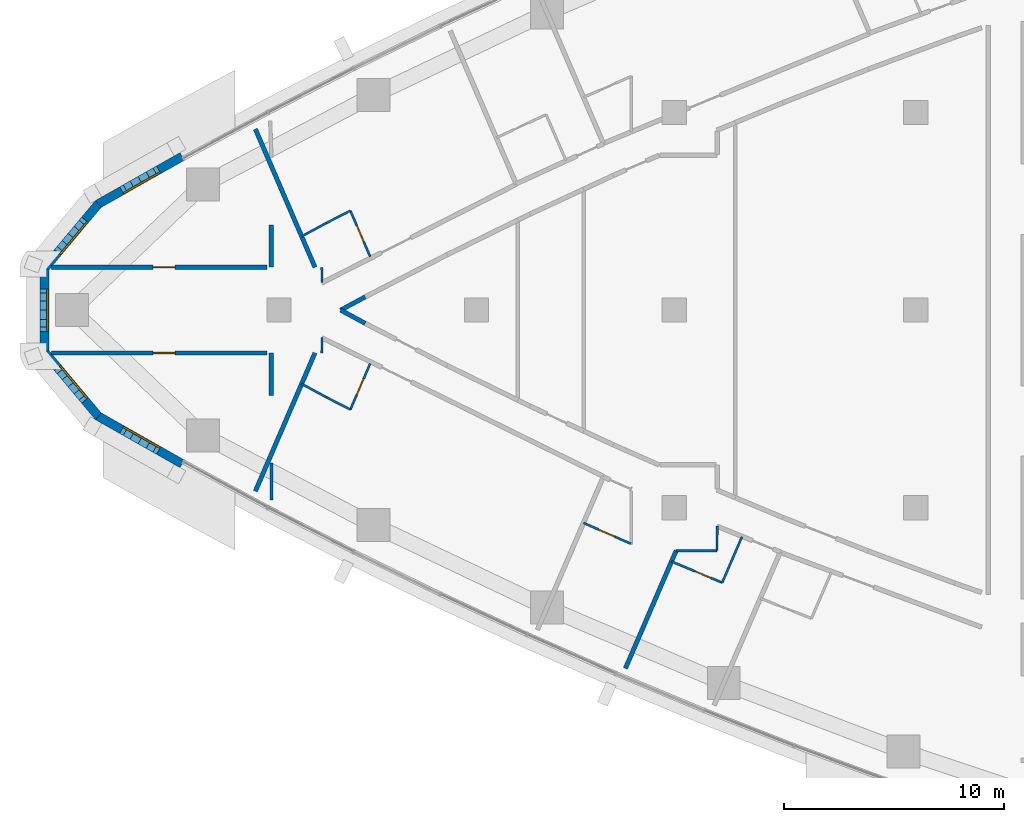
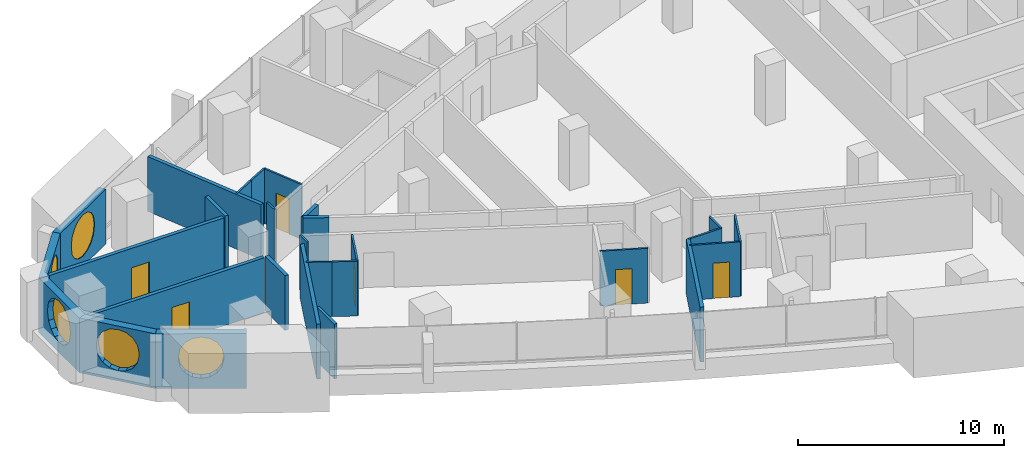
# One storey, part 8 of 16: 28 walls, 6 doors, 5 windows, 11 openings.
"""IFC4 building model written with IfcOpenShell, lengths in metres."""

from ifc_helpers import new_model, si_unit, direction, frame, frame_2d, origin, place, context, subcontext, project, spatial, polyline, rectangle, outline, extrude, material, layer, layer_set, type_object, element, fill, save


model = new_model("IFC4")

# Units and contexts
model_context = context("Model", 3, precision=1e-05, world=origin(), true_north=direction((0.0, 1.0)))
body_context = subcontext(model_context, "Body", "Model", "MODEL_VIEW")
ifc_project = project(units=[si_unit("LENGTHUNIT", "METRE"), si_unit("AREAUNIT", "SQUARE_METRE"), si_unit("VOLUMEUNIT", "CUBIC_METRE"), si_unit("PLANEANGLEUNIT", "RADIAN"), si_unit("MASSUNIT", "GRAM", prefix="KILO")], contexts=[model_context])

# Site, building, storey
site_placement = place(None, origin())
site = spatial("IfcSite", under=ifc_project, at=site_placement, CompositionType="ELEMENT")
building_placement = place(site_placement, origin())
building = spatial("IfcBuilding", under=site, at=building_placement, Name="Ostrand Prow Hotel Tower", CompositionType="ELEMENT")
storey_placement = place(building_placement, frame((0.0, 0.0, 147.949951171875)))
storey = spatial("IfcBuildingStorey", under=building, at=storey_placement, Name="L36", CompositionType="ELEMENT", Elevation=147.949951171875)

# Walls
ifc_material_1 = material(Name="Plasterboard partition")
ifc_layer_1 = layer(ifc_material_1, 0.10009765625)
ifc_layer_set_1 = layer_set([ifc_layer_1], Name="Plasterboard partition")
wall_type_1 = type_object("IfcWallType", Name="Partition 100 bathroom wall", PredefinedType="PARTITIONING", material=ifc_layer_set_1)
wall_1_placement = place(storey_placement, frame((17.03564453125, 3.3583984375, 0.0), z_axis=(0.0, 0.0, 1.0), x_axis=(0.879823588489, 0.475300382009, 0.0)))
element("IfcWall", 1, at=wall_1_placement, inside=storey, type_object=wall_type_1, Name="BATHROOM WALL", PredefinedType="PARTITIONING", context=body_context, shape_type="SweptSolid", body=[
    extrude(rectangle(XDim=1.27294921875, YDim=0.10009765625, at=frame_2d((0.636474609375, 0.0))), origin(), (0.0, 0.0, 1.0), 3.25),
])
wall_2_placement = place(storey_placement, frame((18.155517578125, 3.96337890625, 0.0), z_axis=(0.0, 0.0, 1.0), x_axis=(0.889106231322, 0.457700895154, 0.0)))
element("IfcWall", 2, at=wall_2_placement, inside=storey, type_object=wall_type_1, Name="BATHROOM WALL", PredefinedType="PARTITIONING", context=body_context, shape_type="SweptSolid", body=[
    extrude(rectangle(XDim=1.23486328125, YDim=0.10009765625, at=frame_2d((0.617431640625, 0.0))), origin(), (0.0, 0.0, 1.0), 3.25),
])

# Wall, opening, door
wall_3_placement = place(storey_placement, frame((19.253662109375, 4.528564453125, 0.0), z_axis=(0.0, 0.0, 1.0), x_axis=(0.395958457437, -0.9182684248, 0.0)))
wall_3 = element("IfcWall", 3, at=wall_3_placement, inside=storey, type_object=wall_type_1, Name="BATHROOM WALL", PredefinedType="PARTITIONING", context=body_context, shape_type="SweptSolid", body=[
    extrude(rectangle(XDim=2.281982421875, YDim=0.10009765625, at=frame_2d((1.14111328125, 0.0))), origin(), (0.0, 0.0, 1.0), 3.25),
])
opening_1_placement = place(wall_3_placement, frame((0.75, 0.0, 0.0)))
opening_1 = element("IfcOpeningElement", 4, at=opening_1_placement, cuts=wall_3, Name="Opening D2", PredefinedType="OPENING", context=body_context, shape_type="SweptSolid", body=[
    extrude(rectangle(XDim=0.800048828125, YDim=2.10009765625, at=frame_2d((0.39990234375, 1.050048828125))), frame((0.0, 0.06005859375, 0.0), z_axis=(0.0, -1.0, 0.0), x_axis=(1.0, 0.0, 0.0)), (0.0, 0.0, 1.0), 0.1201171875),
])
ifc_material_2 = material(Name="Timber door leaf", Category="wood")
door_type_1 = type_object("IfcDoorType", Name="Bathroom door 800", OperationType="SINGLE_SWING_LEFT", PredefinedType="DOOR", material=ifc_material_2)
door_1_placement = place(opening_1_placement, origin())
door_1 = element("IfcDoor", 5, at=door_1_placement, inside=storey, type_object=door_type_1, Name="DOOR", OperationType="SINGLE_SWING_LEFT", OverallHeight=2.10009765625, OverallWidth=0.800048828125, PredefinedType="DOOR", context=body_context, shape_type="SweptSolid", body=[
    extrude(rectangle(XDim=0.800048828125, YDim=2.10009765625, at=frame_2d((0.39990234375, 1.050048828125))), frame((0.0, 0.02490234375, 0.0), z_axis=(0.0, -1.0, 0.0), x_axis=(1.0, 0.0, 0.0)), (0.0, 0.0, 1.0), 0.050048828125),
])
fill(opening_1, door_1)

wall_4_placement = place(storey_placement, frame((20.1572265625, -2.43310546875, 0.0), z_axis=(0.0, 0.0, 1.0), x_axis=(-0.395958457437, -0.9182684248, 0.0)))
wall_4 = element("IfcWall", 6, at=wall_4_placement, inside=storey, type_object=wall_type_1, Name="BATHROOM WALL", PredefinedType="PARTITIONING", context=body_context, shape_type="SweptSolid", body=[
    extrude(rectangle(XDim=2.281982421875, YDim=0.10009765625, at=frame_2d((1.14111328125, 0.0))), origin(), (0.0, 0.0, 1.0), 3.25),
])
opening_2_placement = place(wall_4_placement, frame((0.75, 0.0, 0.0)))
opening_2 = element("IfcOpeningElement", 7, at=opening_2_placement, cuts=wall_4, Name="Opening D2", PredefinedType="OPENING", context=body_context, shape_type="SweptSolid", body=[
    extrude(rectangle(XDim=0.800048828125, YDim=2.10009765625, at=frame_2d((0.39990234375, 1.050048828125))), frame((0.0, 0.06005859375, 0.0), z_axis=(0.0, -1.0, 0.0), x_axis=(1.0, 0.0, 0.0)), (0.0, 0.0, 1.0), 0.1201171875),
])
door_2_placement = place(opening_2_placement, origin())
door_2 = element("IfcDoor", 8, at=door_2_placement, inside=storey, type_object=door_type_1, Name="DOOR", OperationType="SINGLE_SWING_LEFT", OverallHeight=2.10009765625, OverallWidth=0.800048828125, PredefinedType="DOOR", context=body_context, shape_type="SweptSolid", body=[
    extrude(rectangle(XDim=0.800048828125, YDim=2.10009765625, at=frame_2d((0.39990234375, 1.050048828125))), frame((0.0, 0.02490234375, 0.0), z_axis=(0.0, -1.0, 0.0), x_axis=(1.0, 0.0, 0.0)), (0.0, 0.0, 1.0), 0.050048828125),
])
fill(opening_2, door_2)

# Walls
wall_5_placement = place(storey_placement, frame((19.25341796875, -4.528564453125, 0.0), z_axis=(0.0, 0.0, 1.0), x_axis=(-0.889106231322, 0.457700895154, 0.0)))
element("IfcWall", 9, at=wall_5_placement, inside=storey, type_object=wall_type_1, Name="BATHROOM WALL", PredefinedType="PARTITIONING", context=body_context, shape_type="SweptSolid", body=[
    extrude(rectangle(XDim=1.23486328125, YDim=0.10009765625, at=frame_2d((0.617431640625, 0.0))), origin(), (0.0, 0.0, 1.0), 3.25),
])
wall_6_placement = place(storey_placement, frame((18.155517578125, -3.96337890625, 0.0), z_axis=(0.0, 0.0, 1.0), x_axis=(-0.879823588489, 0.475300382009, 0.0)))
element("IfcWall", 10, at=wall_6_placement, inside=storey, type_object=wall_type_1, Name="BATHROOM WALL", PredefinedType="PARTITIONING", context=body_context, shape_type="SweptSolid", body=[
    extrude(rectangle(XDim=1.27294921875, YDim=0.10009765625, at=frame_2d((0.636474609375, 0.0))), origin(), (0.0, 0.0, 1.0), 3.25),
])

# Wall, opening, door
wall_7_placement = place(storey_placement, frame((32.02783203125, -10.638427734375, 0.0), z_axis=(0.0, 0.0, 1.0), x_axis=(-0.915108845766, 0.403206895278, 0.0)))
wall_7 = element("IfcWall", 11, at=wall_7_placement, inside=storey, type_object=wall_type_1, Name="BATHROOM WALL", PredefinedType="PARTITIONING", context=body_context, shape_type="SweptSolid", body=[
    extrude(rectangle(XDim=2.3583984375, YDim=0.10009765625, at=frame_2d((1.17919921875, 0.0))), origin(), (0.0, 0.0, 1.0), 3.25),
])
opening_3_placement = place(wall_7_placement, frame((0.800048828125, 0.0, 0.0)))
opening_3 = element("IfcOpeningElement", 12, at=opening_3_placement, cuts=wall_7, Name="Opening D2", PredefinedType="OPENING", context=body_context, shape_type="SweptSolid", body=[
    extrude(rectangle(XDim=0.800048828125, YDim=2.10009765625, at=frame_2d((0.39990234375, 1.050048828125))), frame((0.0, 0.06005859375, 0.0), z_axis=(0.0, -1.0, 0.0), x_axis=(1.0, 0.0, 0.0)), (0.0, 0.0, 1.0), 0.1201171875),
])
door_3_placement = place(opening_3_placement, origin())
door_3 = element("IfcDoor", 13, at=door_3_placement, inside=storey, type_object=door_type_1, Name="DOOR", OperationType="SINGLE_SWING_LEFT", OverallHeight=2.10009765625, OverallWidth=0.800048828125, PredefinedType="DOOR", context=body_context, shape_type="SweptSolid", body=[
    extrude(rectangle(XDim=0.800048828125, YDim=2.10009765625, at=frame_2d((0.39990234375, 1.050048828125))), frame((0.0, 0.02490234375, 0.0), z_axis=(0.0, -1.0, 0.0), x_axis=(1.0, 0.0, 0.0)), (0.0, 0.0, 1.0), 0.050048828125),
])
fill(opening_3, door_3)

# Wall
wall_8_placement = place(storey_placement, frame((37.0869140625, -10.317138671875, 0.0), z_axis=(0.0, 0.0, 1.0), x_axis=(-0.395936907069, -0.918277717045, 0.0)))
element("IfcWall", 14, at=wall_8_placement, inside=storey, type_object=wall_type_1, Name="BATHROOM WALL", PredefinedType="PARTITIONING", context=body_context, shape_type="SweptSolid", body=[
    extrude(rectangle(XDim=2.277099609375, YDim=0.10009765625, at=frame_2d((1.138671875, 0.0))), origin(), (0.0, 0.0, 1.0), 3.25),
])

# Wall, opening, door
wall_9_placement = place(storey_placement, frame((36.185302734375, -12.408203125, 0.0), z_axis=(0.0, 0.0, 1.0), x_axis=(-0.923033583854, 0.384719382248, 0.0)))
wall_9 = element("IfcWall", 15, at=wall_9_placement, inside=storey, type_object=wall_type_1, Name="BATHROOM WALL", PredefinedType="PARTITIONING", context=body_context, shape_type="SweptSolid", body=[
    extrude(rectangle(XDim=2.500244140625, YDim=0.10009765625, at=frame_2d((1.25, 0.0))), origin(), (0.0, 0.0, 1.0), 3.25),
])
opening_4_placement = place(wall_9_placement, frame((0.550048828125, 0.0, 0.0)))
opening_4 = element("IfcOpeningElement", 16, at=opening_4_placement, cuts=wall_9, Name="Opening D2", PredefinedType="OPENING", context=body_context, shape_type="SweptSolid", body=[
    extrude(rectangle(XDim=0.800048828125, YDim=2.10009765625, at=frame_2d((0.39990234375, 1.050048828125))), frame((0.0, 0.06005859375, 0.0), z_axis=(0.0, -1.0, 0.0), x_axis=(1.0, 0.0, 0.0)), (0.0, 0.0, 1.0), 0.1201171875),
])
door_4_placement = place(opening_4_placement, origin())
door_4 = element("IfcDoor", 17, at=door_4_placement, inside=storey, type_object=door_type_1, Name="DOOR", OperationType="SINGLE_SWING_LEFT", OverallHeight=2.10009765625, OverallWidth=0.800048828125, PredefinedType="DOOR", context=body_context, shape_type="SweptSolid", body=[
    extrude(rectangle(XDim=0.800048828125, YDim=2.10009765625, at=frame_2d((0.39990234375, 1.050048828125))), frame((0.0, 0.02490234375, 0.0), z_axis=(0.0, -1.0, 0.0), x_axis=(1.0, 0.0, 0.0)), (0.0, 0.0, 1.0), 0.050048828125),
])
fill(opening_4, door_4)

# Walls
for number, where, z_axis, x_axis, name in (
    (18, (17.959716796875, 1.248779296875, 0.0), (0.0, 0.0, 1.0), (-0.007291472831, 0.999973416859, 0.0), "BATHROOM WALL"),
    (19, (17.95458984375, -1.951904296875, 0.0), (0.0, 0.0, 1.0), (0.007291472831, 0.999973416859, 0.0), "BATHROOM WALL"),
):
    element("IfcWall", number, at=place(storey_placement, frame(where, z_axis=z_axis, x_axis=x_axis)), inside=storey, type_object=wall_type_1, Name=name, PredefinedType="PARTITIONING", context=body_context, shape_type="SweptSolid", body=[
        extrude(rectangle(XDim=0.703125, YDim=0.10009765625, at=frame_2d((0.3515625, 0.0))), origin(), (0.0, 0.0, 1.0), 3.25),
    ])
wall_10_placement = place(storey_placement, frame((34.08935546875, -10.955078125, 0.0), z_axis=(0.0, 0.0, 1.0), x_axis=(0.999999862691, 0.000524040279, 0.0)))
element("IfcWall", 20, at=wall_10_placement, inside=storey, type_object=wall_type_1, Name="BATHROOM WALL", PredefinedType="PARTITIONING", context=body_context, shape_type="SweptSolid", body=[
    extrude(rectangle(XDim=1.863525390625, YDim=0.10009765625, at=frame_2d((0.931640625, 0.0))), origin(), (0.0, 0.0, 1.0), 3.25),
])
wall_11_placement = place(storey_placement, frame((35.952880859375, -10.9541015625, 0.0), z_axis=(0.0, 0.0, 1.0), x_axis=(0.00368122235, 0.999993224278, 0.0)))
element("IfcWall", 21, at=wall_11_placement, inside=storey, type_object=wall_type_1, Name="BATHROOM WALL", PredefinedType="PARTITIONING", context=body_context, shape_type="SweptSolid", body=[
    extrude(rectangle(XDim=1.12744140625, YDim=0.10009765625, at=frame_2d((0.563720703125, 0.0))), origin(), (0.0, 0.0, 1.0), 3.25),
])
ifc_material_3 = material(Name="Plasterboard partition")
ifc_layer_2 = layer(ifc_material_3, 0.14990234375)
ifc_layer_set_2 = layer_set([ifc_layer_2], Name="Plasterboard partition")
wall_type_2 = type_object("IfcWallType", Name="Partition 150 room partition", PredefinedType="PARTITIONING", material=ifc_layer_set_2)
wall_12_placement = place(storey_placement, frame((15.65869140625, -6.955078125, 0.0), z_axis=(0.0, 0.0, 1.0), x_axis=(0.0, -1.0, 0.0)))
element("IfcWall", 22, at=wall_12_placement, inside=storey, type_object=wall_type_2, Name="ROOM PARTITION", PredefinedType="PARTITIONING", context=body_context, shape_type="SweptSolid", body=[
    extrude(rectangle(XDim=1.68359375, YDim=0.14990234375, at=frame_2d((0.841796875, 0.0))), origin(), (0.0, 0.0, 1.0), 3.25),
])

# Wall, opening, door
ifc_material_4 = material(Name="Plasterboard partition")
ifc_layer_3 = layer(ifc_material_4, 0.199951171875)
ifc_layer_set_3 = layer_set([ifc_layer_3], Name="Plasterboard partition")
wall_type_3 = type_object("IfcWallType", Name="Partition 200 corridor wall", PredefinedType="PARTITIONING", material=ifc_layer_set_3)
wall_13_placement = place(storey_placement, frame((5.654296875, 1.949951171875, 0.0), z_axis=(0.0, 0.0, 1.0), x_axis=(1.0, 0.0, 0.0)))
wall_13 = element("IfcWall", 23, at=wall_13_placement, inside=storey, type_object=wall_type_3, Name="CORRIDOR WALL", PredefinedType="PARTITIONING", context=body_context, shape_type="SweptSolid", body=[
    extrude(rectangle(XDim=9.804443359375, YDim=0.199951171875, at=frame_2d((4.90234375, 0.0))), origin(), (0.0, 0.0, 1.0), 3.25),
])
opening_5_placement = place(wall_13_placement, frame((4.618408203125, 0.0, 0.0)))
opening_5 = element("IfcOpeningElement", 24, at=opening_5_placement, cuts=wall_13, Name="Opening D1", PredefinedType="OPENING", context=body_context, shape_type="SweptSolid", body=[
    extrude(rectangle(XDim=1.0, YDim=2.10009765625, at=frame_2d((0.5, 1.050048828125))), frame((0.0, 0.10986328125, 0.0), z_axis=(0.0, -1.0, 0.0), x_axis=(1.0, 0.0, 0.0)), (0.0, 0.0, 1.0), 0.219970703125),
])
ifc_material_5 = material(Name="Timber door leaf", Category="wood")
door_type_2 = type_object("IfcDoorType", Name="Guest room door 1000", OperationType="SINGLE_SWING_LEFT", PredefinedType="DOOR", material=ifc_material_5)
door_5_placement = place(opening_5_placement, origin())
door_5 = element("IfcDoor", 25, at=door_5_placement, inside=storey, type_object=door_type_2, Name="DOOR", OperationType="SINGLE_SWING_LEFT", OverallHeight=2.10009765625, OverallWidth=1.0, PredefinedType="DOOR", context=body_context, shape_type="SweptSolid", body=[
    extrude(rectangle(XDim=1.0, YDim=2.10009765625, at=frame_2d((0.5, 1.050048828125))), frame((0.0, 0.02490234375, 0.0), z_axis=(0.0, -1.0, 0.0), x_axis=(1.0, 0.0, 0.0)), (0.0, 0.0, 1.0), 0.050048828125),
])
fill(opening_5, door_5)

wall_14_placement = place(storey_placement, frame((5.654296875, -1.949951171875, 0.0), z_axis=(0.0, 0.0, 1.0), x_axis=(1.0, 0.0, 0.0)))
wall_14 = element("IfcWall", 26, at=wall_14_placement, inside=storey, type_object=wall_type_3, Name="CORRIDOR WALL", PredefinedType="PARTITIONING", context=body_context, shape_type="SweptSolid", body=[
    extrude(rectangle(XDim=9.804443359375, YDim=0.199951171875, at=frame_2d((4.90234375, 0.0))), origin(), (0.0, 0.0, 1.0), 3.25),
])
opening_6_placement = place(wall_14_placement, frame((4.618408203125, 0.0, 0.0)))
opening_6 = element("IfcOpeningElement", 27, at=opening_6_placement, cuts=wall_14, Name="Opening D1R", PredefinedType="OPENING", context=body_context, shape_type="SweptSolid", body=[
    extrude(rectangle(XDim=1.0, YDim=2.10009765625, at=frame_2d((0.5, 1.050048828125))), frame((0.0, 0.10986328125, 0.0), z_axis=(0.0, -1.0, 0.0), x_axis=(1.0, 0.0, 0.0)), (0.0, 0.0, 1.0), 0.219970703125),
])
ifc_material_6 = material(Name="Timber door leaf", Category="wood")
door_type_3 = type_object("IfcDoorType", Name="Guest room door 1000 right", OperationType="SINGLE_SWING_RIGHT", PredefinedType="DOOR", material=ifc_material_6)
door_6_placement = place(opening_6_placement, origin())
door_6 = element("IfcDoor", 28, at=door_6_placement, inside=storey, type_object=door_type_3, Name="DOOR", OperationType="SINGLE_SWING_RIGHT", OverallHeight=2.10009765625, OverallWidth=1.0, PredefinedType="DOOR", context=body_context, shape_type="SweptSolid", body=[
    extrude(rectangle(XDim=1.0, YDim=2.10009765625, at=frame_2d((0.5, 1.050048828125))), frame((0.0, 0.02490234375, 0.0), z_axis=(0.0, -1.0, 0.0), x_axis=(1.0, 0.0, 0.0)), (0.0, 0.0, 1.0), 0.050048828125),
])
fill(opening_6, door_6)

# Walls
for number, where, z_axis, x_axis, name in (
    (29, (19.928466796875, -0.60205078125, 0.0), (0.0, 0.0, 1.0), (-0.879832865766, 0.475283208538, 0.0), "CORRIDOR WALL"),
    (30, (18.81396484375, 0.0, 0.0), (0.0, 0.0, 1.0), (0.879832865766, 0.475283208538, 0.0), "CORRIDOR WALL"),
):
    element("IfcWall", number, at=place(storey_placement, frame(where, z_axis=z_axis, x_axis=x_axis)), inside=storey, type_object=wall_type_3, Name=name, PredefinedType="PARTITIONING", context=body_context, shape_type="SweptSolid", body=[
        extrude(rectangle(XDim=1.2666015625, YDim=0.199951171875, at=frame_2d((0.63330078125, 0.0))), origin(), (0.0, 0.0, 1.0), 3.25),
    ])
wall_15_placement = place(storey_placement, frame((15.65869140625, 3.869384765625, 0.0), z_axis=(0.0, 0.0, 1.0), x_axis=(0.0, -1.0, 0.0)))
element("IfcWall", 31, at=wall_15_placement, inside=storey, type_object=wall_type_3, Name="CORRIDOR WALL", PredefinedType="PARTITIONING", context=body_context, shape_type="SweptSolid", body=[
    extrude(rectangle(XDim=1.914306640625, YDim=0.199951171875, at=frame_2d((0.95703125, 0.0))), origin(), (0.0, 0.0, 1.0), 3.25),
])
wall_16_placement = place(storey_placement, frame((15.65869140625, -1.955078125, 0.0), z_axis=(0.0, 0.0, 1.0), x_axis=(0.0, -1.0, 0.0)))
element("IfcWall", 32, at=wall_16_placement, inside=storey, type_object=wall_type_3, Name="CORRIDOR WALL", PredefinedType="PARTITIONING", context=body_context, shape_type="SweptSolid", body=[
    extrude(rectangle(XDim=1.921630859375, YDim=0.199951171875, at=frame_2d((0.9609375, 0.0))), origin(), (0.0, 0.0, 1.0), 3.25),
])
ifc_material_7 = material(Name="Plasterboard partition")
ifc_layer_4 = layer(ifc_material_7, 0.199951171875)
ifc_layer_set_4 = layer_set([ifc_layer_4], Name="Plasterboard partition")
wall_type_4 = type_object("IfcWallType", Name="Partition 200 key partition", PredefinedType="PARTITIONING", material=ifc_layer_set_4)
for number, where, z_axis, x_axis, name in (
    (33, (17.64306640625, 1.949951171875, 0.0), (0.0, 0.0, 1.0), (-0.395994543879, 0.918252863441, 0.0), "KEY PARTITION"),
    (34, (14.9287109375, -8.244140625, 0.0), (0.0, 0.0, 1.0), (0.395994543879, 0.918252863441, 0.0), "KEY PARTITION"),
):
    element("IfcWall", number, at=place(storey_placement, frame(where, z_axis=z_axis, x_axis=x_axis)), inside=storey, type_object=wall_type_4, Name=name, PredefinedType="PARTITIONING", context=body_context, shape_type="SweptSolid", body=[
        extrude(rectangle(XDim=6.8544921875, YDim=0.199951171875, at=frame_2d((3.42724609375, 0.0))), origin(), (0.0, 0.0, 1.0), 3.25),
    ])
wall_17_placement = place(storey_placement, frame((31.778564453125, -16.3134765625, 0.0), z_axis=(0.0, 0.0, 1.0), x_axis=(0.395991607501, 0.918254129742, 0.0)))
element("IfcWall", 35, at=wall_17_placement, inside=storey, type_object=wall_type_4, Name="KEY PARTITION", PredefinedType="PARTITIONING", context=body_context, shape_type="SweptSolid", body=[
    extrude(rectangle(XDim=5.841064453125, YDim=0.199951171875, at=frame_2d((2.92041015625, 0.0))), origin(), (0.0, 0.0, 1.0), 3.25),
])

# Wall, opening, window
ifc_material_8 = material(Name="Precast concrete C40/50", Category="concrete")
ifc_layer_5 = layer(ifc_material_8, 0.39990234375)
ifc_layer_set_5 = layer_set([ifc_layer_5], Name="Precast concrete C40/50")
wall_type_5 = type_object("IfcWallType", Name="Stone-faced precast wall 400 mm", PredefinedType="NOTDEFINED", material=ifc_layer_set_5)
wall_18_placement = place(storey_placement, frame((11.594482421875, 6.996826171875, 0.0), z_axis=(0.0, 0.0, 1.0), x_axis=(-0.870045255208, -0.492971859125, 0.0)))
wall_18 = element("IfcWall", 36, at=wall_18_placement, inside=storey, type_object=wall_type_5, Name="Stone-faced wall prow 1", PredefinedType="NOTDEFINED", context=body_context, shape_type="SweptSolid", body=[
    extrude(outline(polyline([(0.0, -0.199951171875), (4.424072265625, -0.199951171875), (4.351806640625, 0.199951171875), (0.0, 0.199951171875), (0.0, -0.199951171875)])), origin(), (0.0, 0.0, 1.0), 3.25),
])
opening_7_placement = place(wall_18_placement, frame((1.093994140625, 0.0, 0.60009765625)))
opening_7 = element("IfcOpeningElement", 37, at=opening_7_placement, cuts=wall_18, Name="Opening WP1", PredefinedType="OPENING", context=body_context, shape_type="SweptSolid", body=[
    extrude(outline(polyline([(0.0, 1.35009765625), (0.083740234375, 1.77099609375), (0.322265625, 2.127685546875), (0.678955078125, 2.3662109375), (1.10009765625, 2.449951171875), (1.52099609375, 2.3662109375), (1.877685546875, 2.127685546875), (2.1162109375, 1.77099609375), (2.199951171875, 1.35009765625), (2.199951171875, 1.10009765625), (2.1162109375, 0.678955078125), (1.877685546875, 0.322265625), (1.52099609375, 0.083740234375), (1.10009765625, 0.0), (0.678955078125, 0.083740234375), (0.322265625, 0.322265625), (0.083740234375, 0.678955078125), (0.0, 1.099853515625), (0.0, 1.35009765625)])), frame((0.0, 0.2099609375, 0.0), z_axis=(0.0, -1.0, 0.0), x_axis=(1.0, 0.0, 0.0)), (0.0, 0.0, 1.0), 0.419921875),
])
ifc_material_9 = material(Name="Insulated glass in bronze frame", Category="glass")
window_type = type_object("IfcWindowType", Name="Round-ended prow window 2200x2450", PartitioningType="SINGLE_PANEL", PredefinedType="WINDOW", material=ifc_material_9)
window_1_placement = place(opening_7_placement, origin())
window_1 = element("IfcWindow", 38, at=window_1_placement, inside=storey, type_object=window_type, Name="Window prow 1.1", OverallHeight=2.449951171875, OverallWidth=2.199951171875, PartitioningType="SINGLE_PANEL", PredefinedType="WINDOW", context=body_context, shape_type="SweptSolid", body=[
    extrude(outline(polyline([(0.0, 1.35009765625), (0.083740234375, 1.77099609375), (0.322265625, 2.127685546875), (0.678955078125, 2.3662109375), (1.10009765625, 2.449951171875), (1.52099609375, 2.3662109375), (1.877685546875, 2.127685546875), (2.1162109375, 1.77099609375), (2.199951171875, 1.35009765625), (2.199951171875, 1.10009765625), (2.1162109375, 0.678955078125), (1.877685546875, 0.322265625), (1.52099609375, 0.083740234375), (1.10009765625, 0.0), (0.678955078125, 0.083740234375), (0.322265625, 0.322265625), (0.083740234375, 0.678955078125), (0.0, 1.099853515625), (0.0, 1.35009765625)])), frame((0.0, 0.169921875, 0.0), z_axis=(0.0, -1.0, 0.0), x_axis=(1.0, 0.0, 0.0)), (0.0, 0.0, 1.0), 0.06005859375),
])
fill(opening_7, window_1)

wall_19_placement = place(storey_placement, frame((7.77685546875, 4.833740234375, 0.0), z_axis=(0.0, 0.0, 1.0), x_axis=(-0.641787918235, -0.766882173484, 0.0)))
wall_19 = element("IfcWall", 39, at=wall_19_placement, inside=storey, type_object=wall_type_5, Name="Stone-faced wall prow 2", PredefinedType="NOTDEFINED", context=body_context, shape_type="SweptSolid", body=[
    extrude(outline(polyline([(-0.0361328125, -0.199951171875), (3.887939453125, -0.199951171875), (3.742919921875, 0.199951171875), (0.0361328125, 0.199951171875), (-0.0361328125, -0.199951171875)])), origin(), (0.0, 0.0, 1.0), 3.25),
])
opening_8_placement = place(wall_19_placement, frame((0.8076171875, 0.0, 0.60009765625)))
opening_8 = element("IfcOpeningElement", 40, at=opening_8_placement, cuts=wall_19, Name="Opening WP1", PredefinedType="OPENING", context=body_context, shape_type="SweptSolid", body=[
    extrude(outline(polyline([(0.0, 1.35009765625), (0.083740234375, 1.77099609375), (0.322265625, 2.127685546875), (0.678955078125, 2.3662109375), (1.10009765625, 2.449951171875), (1.52099609375, 2.3662109375), (1.877685546875, 2.127685546875), (2.1162109375, 1.77099609375), (2.199951171875, 1.35009765625), (2.199951171875, 1.10009765625), (2.1162109375, 0.678955078125), (1.877685546875, 0.322265625), (1.52099609375, 0.083740234375), (1.10009765625, 0.0), (0.678955078125, 0.083740234375), (0.322265625, 0.322265625), (0.083740234375, 0.678955078125), (0.0, 1.099853515625), (0.0, 1.35009765625)])), frame((0.0, 0.2099609375, 0.0), z_axis=(0.0, -1.0, 0.0), x_axis=(1.0, 0.0, 0.0)), (0.0, 0.0, 1.0), 0.419921875),
])
window_2_placement = place(opening_8_placement, origin())
window_2 = element("IfcWindow", 41, at=window_2_placement, inside=storey, type_object=window_type, Name="Window prow 2.1", OverallHeight=2.449951171875, OverallWidth=2.199951171875, PartitioningType="SINGLE_PANEL", PredefinedType="WINDOW", context=body_context, shape_type="SweptSolid", body=[
    extrude(outline(polyline([(0.0, 1.35009765625), (0.083740234375, 1.77099609375), (0.322265625, 2.127685546875), (0.678955078125, 2.3662109375), (1.10009765625, 2.449951171875), (1.52099609375, 2.3662109375), (1.877685546875, 2.127685546875), (2.1162109375, 1.77099609375), (2.199951171875, 1.35009765625), (2.199951171875, 1.10009765625), (2.1162109375, 0.678955078125), (1.877685546875, 0.322265625), (1.52099609375, 0.083740234375), (1.10009765625, 0.0), (0.678955078125, 0.083740234375), (0.322265625, 0.322265625), (0.083740234375, 0.678955078125), (0.0, 1.099853515625), (0.0, 1.35009765625)])), frame((0.0, 0.169921875, 0.0), z_axis=(0.0, -1.0, 0.0), x_axis=(1.0, 0.0, 0.0)), (0.0, 0.0, 1.0), 0.06005859375),
])
fill(opening_8, window_2)

wall_20_placement = place(storey_placement, frame((5.328125, 1.90771484375, 0.0), z_axis=(0.0, 0.0, 1.0), x_axis=(0.0, -1.0, 0.0)))
wall_20 = element("IfcWall", 42, at=wall_20_placement, inside=storey, type_object=wall_type_5, Name="Stone-faced wall prow 3", PredefinedType="NOTDEFINED", context=body_context, shape_type="SweptSolid", body=[
    extrude(outline(polyline([(-0.072509765625, -0.199951171875), (3.887939453125, -0.199951171875), (3.742919921875, 0.199951171875), (0.072509765625, 0.199951171875), (-0.072509765625, -0.199951171875)])), origin(), (0.0, 0.0, 1.0), 3.25),
])
opening_9_placement = place(wall_20_placement, frame((0.8076171875, 0.0, 0.60009765625)))
opening_9 = element("IfcOpeningElement", 43, at=opening_9_placement, cuts=wall_20, Name="Opening WP1", PredefinedType="OPENING", context=body_context, shape_type="SweptSolid", body=[
    extrude(outline(polyline([(0.0, 1.35009765625), (0.083740234375, 1.77099609375), (0.322265625, 2.127685546875), (0.678955078125, 2.3662109375), (1.10009765625, 2.449951171875), (1.52099609375, 2.3662109375), (1.877685546875, 2.127685546875), (2.1162109375, 1.77099609375), (2.199951171875, 1.35009765625), (2.199951171875, 1.10009765625), (2.1162109375, 0.678955078125), (1.877685546875, 0.322265625), (1.52099609375, 0.083740234375), (1.10009765625, 0.0), (0.678955078125, 0.083740234375), (0.322265625, 0.322265625), (0.083740234375, 0.678955078125), (0.0, 1.099853515625), (0.0, 1.35009765625)])), frame((0.0, 0.2099609375, 0.0), z_axis=(0.0, -1.0, 0.0), x_axis=(1.0, 0.0, 0.0)), (0.0, 0.0, 1.0), 0.419921875),
])
window_3_placement = place(opening_9_placement, origin())
window_3 = element("IfcWindow", 44, at=window_3_placement, inside=storey, type_object=window_type, Name="Window prow 3.1", OverallHeight=2.449951171875, OverallWidth=2.199951171875, PartitioningType="SINGLE_PANEL", PredefinedType="WINDOW", context=body_context, shape_type="SweptSolid", body=[
    extrude(outline(polyline([(0.0, 1.35009765625), (0.083740234375, 1.77099609375), (0.322265625, 2.127685546875), (0.678955078125, 2.3662109375), (1.10009765625, 2.449951171875), (1.52099609375, 2.3662109375), (1.877685546875, 2.127685546875), (2.1162109375, 1.77099609375), (2.199951171875, 1.35009765625), (2.199951171875, 1.10009765625), (2.1162109375, 0.678955078125), (1.877685546875, 0.322265625), (1.52099609375, 0.083740234375), (1.10009765625, 0.0), (0.678955078125, 0.083740234375), (0.322265625, 0.322265625), (0.083740234375, 0.678955078125), (0.0, 1.099853515625), (0.0, 1.35009765625)])), frame((0.0, 0.169921875, 0.0), z_axis=(0.0, -1.0, 0.0), x_axis=(1.0, 0.0, 0.0)), (0.0, 0.0, 1.0), 0.06005859375),
])
fill(opening_9, window_3)

wall_21_placement = place(storey_placement, frame((5.328125, -1.90771484375, 0.0), z_axis=(0.0, 0.0, 1.0), x_axis=(0.641787918235, -0.766882173484, 0.0)))
wall_21 = element("IfcWall", 45, at=wall_21_placement, inside=storey, type_object=wall_type_5, Name="Stone-faced wall prow 4", PredefinedType="NOTDEFINED", context=body_context, shape_type="SweptSolid", body=[
    extrude(outline(polyline([(-0.072509765625, -0.199951171875), (3.8515625, -0.199951171875), (3.779296875, 0.199951171875), (0.072509765625, 0.199951171875), (-0.072509765625, -0.199951171875)])), origin(), (0.0, 0.0, 1.0), 3.25),
])
opening_10_placement = place(wall_21_placement, frame((0.8076171875, 0.0, 0.60009765625)))
opening_10 = element("IfcOpeningElement", 46, at=opening_10_placement, cuts=wall_21, Name="Opening WP1", PredefinedType="OPENING", context=body_context, shape_type="SweptSolid", body=[
    extrude(outline(polyline([(0.0, 1.35009765625), (0.083740234375, 1.77099609375), (0.322265625, 2.127685546875), (0.678955078125, 2.3662109375), (1.10009765625, 2.449951171875), (1.52099609375, 2.3662109375), (1.877685546875, 2.127685546875), (2.1162109375, 1.77099609375), (2.199951171875, 1.35009765625), (2.199951171875, 1.10009765625), (2.1162109375, 0.678955078125), (1.877685546875, 0.322265625), (1.52099609375, 0.083740234375), (1.10009765625, 0.0), (0.678955078125, 0.083740234375), (0.322265625, 0.322265625), (0.083740234375, 0.678955078125), (0.0, 1.099853515625), (0.0, 1.35009765625)])), frame((0.0, 0.2099609375, 0.0), z_axis=(0.0, -1.0, 0.0), x_axis=(1.0, 0.0, 0.0)), (0.0, 0.0, 1.0), 0.419921875),
])
window_4_placement = place(opening_10_placement, origin())
window_4 = element("IfcWindow", 47, at=window_4_placement, inside=storey, type_object=window_type, Name="Window prow 4.1", OverallHeight=2.449951171875, OverallWidth=2.199951171875, PartitioningType="SINGLE_PANEL", PredefinedType="WINDOW", context=body_context, shape_type="SweptSolid", body=[
    extrude(outline(polyline([(0.0, 1.35009765625), (0.083740234375, 1.77099609375), (0.322265625, 2.127685546875), (0.678955078125, 2.3662109375), (1.10009765625, 2.449951171875), (1.52099609375, 2.3662109375), (1.877685546875, 2.127685546875), (2.1162109375, 1.77099609375), (2.199951171875, 1.35009765625), (2.199951171875, 1.10009765625), (2.1162109375, 0.678955078125), (1.877685546875, 0.322265625), (1.52099609375, 0.083740234375), (1.10009765625, 0.0), (0.678955078125, 0.083740234375), (0.322265625, 0.322265625), (0.083740234375, 0.678955078125), (0.0, 1.099853515625), (0.0, 1.35009765625)])), frame((0.0, 0.169921875, 0.0), z_axis=(0.0, -1.0, 0.0), x_axis=(1.0, 0.0, 0.0)), (0.0, 0.0, 1.0), 0.06005859375),
])
fill(opening_10, window_4)

wall_22_placement = place(storey_placement, frame((7.77685546875, -4.833740234375, 0.0), z_axis=(0.0, 0.0, 1.0), x_axis=(0.870045255208, -0.492971859125, 0.0)))
wall_22 = element("IfcWall", 48, at=wall_22_placement, inside=storey, type_object=wall_type_5, Name="Stone-faced wall prow 5", PredefinedType="NOTDEFINED", context=body_context, shape_type="SweptSolid", body=[
    extrude(outline(polyline([(-0.0361328125, -0.199951171875), (4.387939453125, -0.199951171875), (4.387939453125, 0.199951171875), (0.0361328125, 0.199951171875), (-0.0361328125, -0.199951171875)])), origin(), (0.0, 0.0, 1.0), 3.25),
])
opening_11_placement = place(wall_22_placement, frame((1.093994140625, 0.0, 0.60009765625)))
opening_11 = element("IfcOpeningElement", 49, at=opening_11_placement, cuts=wall_22, Name="Opening WP1", PredefinedType="OPENING", context=body_context, shape_type="SweptSolid", body=[
    extrude(outline(polyline([(0.0, 1.35009765625), (0.083740234375, 1.77099609375), (0.322265625, 2.127685546875), (0.678955078125, 2.3662109375), (1.10009765625, 2.449951171875), (1.52099609375, 2.3662109375), (1.877685546875, 2.127685546875), (2.1162109375, 1.77099609375), (2.199951171875, 1.35009765625), (2.199951171875, 1.10009765625), (2.1162109375, 0.678955078125), (1.877685546875, 0.322265625), (1.52099609375, 0.083740234375), (1.10009765625, 0.0), (0.678955078125, 0.083740234375), (0.322265625, 0.322265625), (0.083740234375, 0.678955078125), (0.0, 1.099853515625), (0.0, 1.35009765625)])), frame((0.0, 0.2099609375, 0.0), z_axis=(0.0, -1.0, 0.0), x_axis=(1.0, 0.0, 0.0)), (0.0, 0.0, 1.0), 0.419921875),
])
window_5_placement = place(opening_11_placement, origin())
window_5 = element("IfcWindow", 50, at=window_5_placement, inside=storey, type_object=window_type, Name="Window prow 5.1", OverallHeight=2.449951171875, OverallWidth=2.199951171875, PartitioningType="SINGLE_PANEL", PredefinedType="WINDOW", context=body_context, shape_type="SweptSolid", body=[
    extrude(outline(polyline([(0.0, 1.35009765625), (0.083740234375, 1.77099609375), (0.322265625, 2.127685546875), (0.678955078125, 2.3662109375), (1.10009765625, 2.449951171875), (1.52099609375, 2.3662109375), (1.877685546875, 2.127685546875), (2.1162109375, 1.77099609375), (2.199951171875, 1.35009765625), (2.199951171875, 1.10009765625), (2.1162109375, 0.678955078125), (1.877685546875, 0.322265625), (1.52099609375, 0.083740234375), (1.10009765625, 0.0), (0.678955078125, 0.083740234375), (0.322265625, 0.322265625), (0.083740234375, 0.678955078125), (0.0, 1.099853515625), (0.0, 1.35009765625)])), frame((0.0, 0.169921875, 0.0), z_axis=(0.0, -1.0, 0.0), x_axis=(1.0, 0.0, 0.0)), (0.0, 0.0, 1.0), 0.06005859375),
])
fill(opening_11, window_5)

save(model, "model.ifc")
